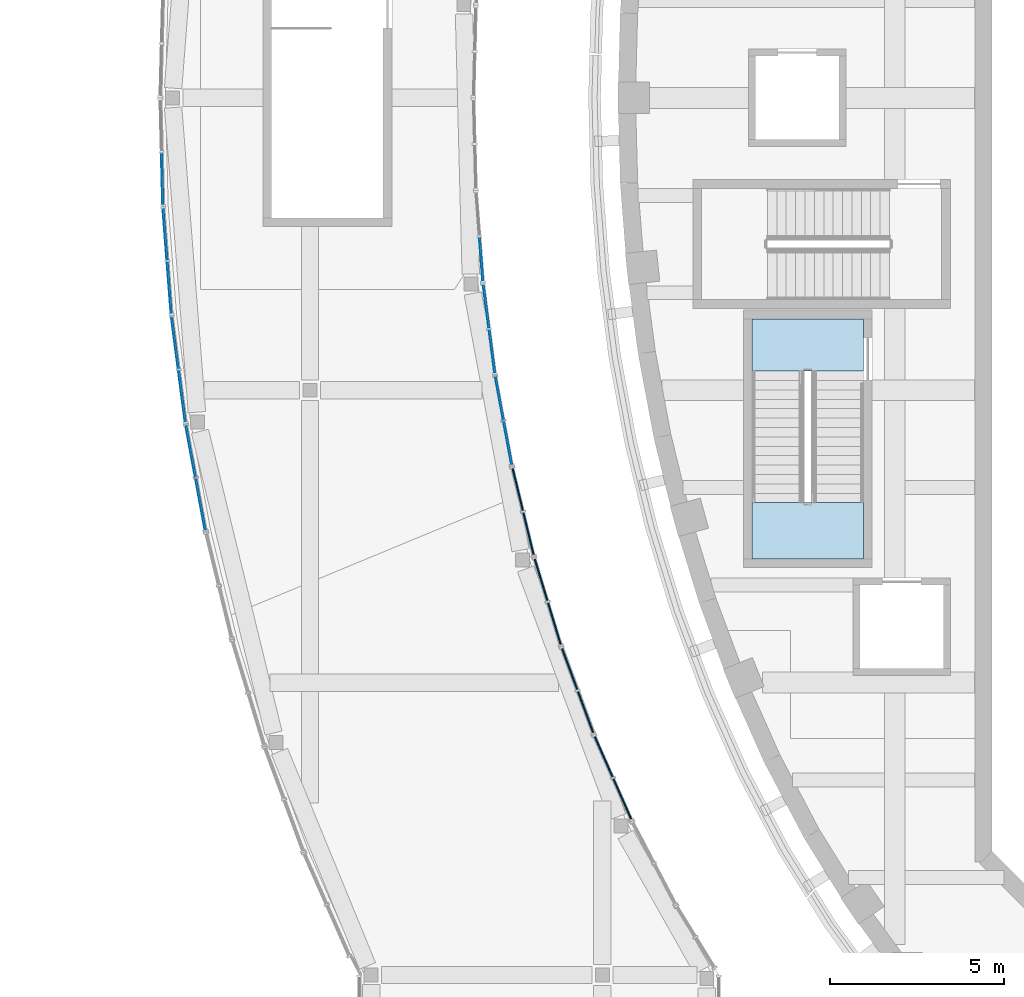
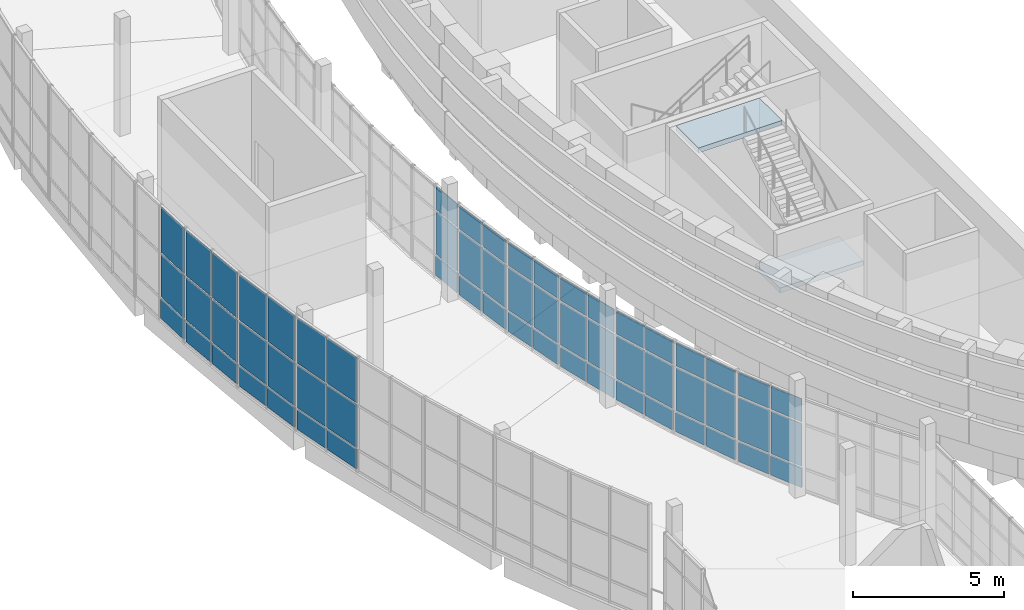
# One storey, part 39 of 103: 60 plates, 2 slabs, 12 elements without a shape of their own.
"""IFC4 building model written with IfcOpenShell, lengths in metres."""

import ifcopenshell
import ifcopenshell.guid

model = None  # the IFC model being written
_history = None  # IfcOwnerHistory: only IFC2X3 demands one
_inside = {}  # id of a spatial element -> (the spatial element, [elements in it])
_under = {}  # id of a project, library or spatial element -> (it, [spatial elements below it])
_declared = {}  # id of a project -> (the project, [libraries it declares])
_typed = {}  # id of a type object -> (the type object, [elements of that type])
_made_of = {}  # id of a material, layer set ... -> (it, [elements and type objects made of it])


def new_model(schema):
    """Start an empty IFC model of exactly this schema.

    Asked for "IFC4X3", IfcOpenShell would pick the latest addendum, in which some entities
    have other attributes; the version numbers below select the first issue.
    IFC2X3 requires an IfcOwnerHistory on every rooted entity: one is made here for all.
    """
    global model, _history
    if schema == "IFC4X3":
        model = ifcopenshell.file(schema_version=(4, 3, 0, 0))
    else:
        model = ifcopenshell.file(schema=schema)
    _inside.clear()
    _under.clear()
    _declared.clear()
    _typed.clear()
    _made_of.clear()
    _history = None
    if model.schema == "IFC2X3":
        org = make("IfcOrganization", Name="unknown")
        user = make(
            "IfcPersonAndOrganization",
            ThePerson=make("IfcPerson", FamilyName="unknown"),
            TheOrganization=org,
        )
        app = make(
            "IfcApplication",
            ApplicationDeveloper=org,
            Version="unknown",
            ApplicationFullName="unknown",
            ApplicationIdentifier="unknown",
        )
        _history = make(
            "IfcOwnerHistory",
            OwningUser=user,
            OwningApplication=app,
            ChangeAction="ADDED",
            CreationDate=0,
        )
    return model


def make(cls, **values):
    """One entity of the class cls with the attributes given. An attribute that is None is left unset."""
    return model.create_entity(
        cls, **{name: value for name, value in values.items() if value is not None}
    )


def rooted(cls, **values):
    """An entity with a GlobalId (a new one), such as an element, a storey or a relation."""
    return make(cls, GlobalId=ifcopenshell.guid.new(), OwnerHistory=_history, **values)


def si_unit(unit_type, name, prefix=None):
    """IfcSIUnit, for example si_unit("LENGTHUNIT", "METRE", prefix="MILLI")."""
    return make("IfcSIUnit", UnitType=unit_type, Prefix=prefix, Name=name)


def assignment(units):
    """IfcUnitAssignment: the units of a project."""
    return None if units is None else make("IfcUnitAssignment", Units=units)


def point(xyz):
    """IfcCartesianPoint."""
    return None if xyz is None else make("IfcCartesianPoint", Coordinates=xyz)


def direction(xyz):
    """IfcDirection."""
    return None if xyz is None else make("IfcDirection", DirectionRatios=xyz)


def frame(location, z_axis=None, x_axis=None):
    """IfcAxis2Placement3D, a coordinate frame: its origin and axes. An axis left out is left unset."""
    return make(
        "IfcAxis2Placement3D",
        Location=point(location),
        Axis=direction(z_axis),
        RefDirection=direction(x_axis),
    )


def frame_2d(location, x_axis=None):
    """IfcAxis2Placement2D, a coordinate frame in the plane: its origin and x axis."""
    return make(
        "IfcAxis2Placement2D", Location=point(location), RefDirection=direction(x_axis)
    )


def origin():
    """The frame at (0, 0, 0) with its axes left unset."""
    return frame((0.0, 0.0, 0.0))


def origin_2d():
    """The frame at (0, 0) in the plane with its x axis left unset."""
    return frame_2d((0.0, 0.0))


def place(relative_to, where):
    """IfcLocalPlacement: puts the frame where relative to a parent placement (None: the world)."""
    return make(
        "IfcLocalPlacement", PlacementRelTo=relative_to, RelativePlacement=where
    )


def context(
    kind, dimensions, precision=None, world=None, true_north=None, identifier=None
):
    """IfcGeometricRepresentationContext, for example the 3D "Model" context."""
    return make(
        "IfcGeometricRepresentationContext",
        ContextIdentifier=identifier,
        ContextType=kind,
        CoordinateSpaceDimension=dimensions,
        Precision=precision,
        WorldCoordinateSystem=world,
        TrueNorth=true_north,
    )


def subcontext(parent, identifier, kind, view, scale=None):
    """IfcGeometricRepresentationSubContext, for example "Body" below "Model"."""
    return make(
        "IfcGeometricRepresentationSubContext",
        ContextIdentifier=identifier,
        ContextType=kind,
        ParentContext=parent,
        TargetScale=scale,
        TargetView=view,
    )


def project(units=None, contexts=None):
    """IfcProject with its units and contexts."""
    return rooted(
        "IfcProject",
        Name="project",
        RepresentationContexts=contexts,
        UnitsInContext=assignment(units),
    )


def spatial(cls, under=None, at=None, **own):
    """A site, building, storey or space (cls), placed at a placement, below another one or the project."""
    s = rooted(cls, ObjectPlacement=at, **own)
    if under is not None:
        _under.setdefault(under.id(), (under, []))[1].append(s)
    return s


def polyline(points):
    """IfcPolyline through the points."""
    return make("IfcPolyline", Points=[point(p) for p in points])


def profile(cls, at=None, kind="AREA", **sizes):
    """A parametric profile (cls). Its sizes go by their IFC names, for example OverallWidth=200.0."""
    return make(cls, ProfileType=kind, Position=at, **sizes)


def rectangle(**sizes):
    """IfcRectangleProfileDef."""
    return profile("IfcRectangleProfileDef", **sizes)


def outline(outer, holes=None, kind="AREA"):
    """IfcArbitraryClosedProfileDef: a profile drawn as a closed curve; with holes, ...WithVoids."""
    if holes is None:
        return make("IfcArbitraryClosedProfileDef", ProfileType=kind, OuterCurve=outer)
    return make(
        "IfcArbitraryProfileDefWithVoids",
        ProfileType=kind,
        OuterCurve=outer,
        InnerCurves=holes,
    )


def extrude(swept, where, along, depth):
    """IfcExtrudedAreaSolid: the profile swept, set in the frame where, extruded along a direction by depth."""
    return make(
        "IfcExtrudedAreaSolid",
        SweptArea=swept,
        Position=where,
        ExtrudedDirection=direction(along),
        Depth=depth,
    )


def shape(context_of_items, identifier, shape_type, items):
    """IfcShapeRepresentation: the items that make up one representation, for example the "Body"."""
    return make(
        "IfcShapeRepresentation",
        ContextOfItems=context_of_items,
        RepresentationIdentifier=identifier,
        RepresentationType=shape_type,
        Items=items,
    )


def material(Name=None, Category=None):
    """IfcMaterial."""
    return make("IfcMaterial", Name=Name, Category=Category)


def layer(
    of_material, thickness, ventilated=None, Name=None, Category=None, Priority=None
):
    """IfcMaterialLayer: one layer of a wall or slab, of a material (None: an air gap)."""
    return make(
        "IfcMaterialLayer",
        Material=of_material,
        LayerThickness=thickness,
        IsVentilated=ventilated,
        Name=Name,
        Category=Category,
        Priority=Priority,
    )


def layer_set(layers, Name=None):
    """IfcMaterialLayerSet."""
    return make("IfcMaterialLayerSet", MaterialLayers=layers, LayerSetName=Name)


def made_of(thing, what):
    """Note that an element or type object is made of a material, layer set ...; save() writes the relation."""
    if what is not None:
        _made_of.setdefault(what.id(), (what, []))[1].append(thing)
    return thing


def type_object(cls, material=None, **own):
    """A type object (cls), such as IfcWallType, which elements share."""
    return made_of(rooted(cls, **own), material)


def element(
    cls,
    number,
    at=None,
    inside=None,
    cuts=None,
    type_object=None,
    material=None,
    context=None,
    identifier="Body",
    shape_type=None,
    held_by="IfcProductDefinitionShape",
    body=None,
    shapes=None,
    **own,
):
    """One element of the class cls, such as IfcWall. Its Tag is "e" and its number.

    at: its placement. inside: the storey or other place that contains it. cuts: it is an
    opening in that element (IfcRelVoidsElement). A single representation is given by context,
    identifier, shape_type and body (its items); several are given by shapes. held_by: the class
    of the entity that holds the representations. save() writes the other relations.
    """
    e = rooted(cls, Tag="e%d" % number, ObjectPlacement=at, **own)
    if body is not None:
        shapes = [shape(context, identifier, shape_type, body)]
    if shapes is not None:
        e.Representation = make(held_by, Representations=shapes)
    if inside is not None:
        _inside.setdefault(inside.id(), (inside, []))[1].append(e)
    if cuts is not None:
        rooted(
            "IfcRelVoidsElement", RelatingBuildingElement=cuts, RelatedOpeningElement=e
        )
    if type_object is not None:
        _typed.setdefault(type_object.id(), (type_object, []))[1].append(e)
    return made_of(e, material)


def aggregate(whole, parts):
    """IfcRelAggregates: a whole, such as a stair, and the parts it consists of."""
    return rooted("IfcRelAggregates", RelatingObject=whole, RelatedObjects=parts)


def save(model, path):
    """Write the relations noted so far, then the file.

    IfcRelAggregates (storeys below a building ...), IfcRelContainedInSpatialStructure (elements
    in a storey), IfcRelDefinesByType, IfcRelAssociatesMaterial and IfcRelDeclares: one each for
    every whole, place, type object, material and project.
    """
    for whole, parts in _under.values():
        aggregate(whole, parts)
    for where, things in _inside.values():
        rooted(
            "IfcRelContainedInSpatialStructure",
            RelatedElements=things,
            RelatingStructure=where,
        )
    for kind, things in _typed.values():
        rooted("IfcRelDefinesByType", RelatedObjects=things, RelatingType=kind)
    for what, things in _made_of.values():
        rooted("IfcRelAssociatesMaterial", RelatedObjects=things, RelatingMaterial=what)
    for by, libraries in _declared.values():
        rooted("IfcRelDeclares", RelatingContext=by, RelatedDefinitions=libraries)
    model.write(path)


model = new_model("IFC4")

# Units and contexts
model_context = context("Model", 3, precision=1e-05, world=origin(), true_north=direction((0.0, 1.0)))
body_context = subcontext(model_context, "Body", "Model", "MODEL_VIEW")
ifc_project = project(units=[si_unit("LENGTHUNIT", "METRE"), si_unit("AREAUNIT", "SQUARE_METRE"), si_unit("VOLUMEUNIT", "CUBIC_METRE"), si_unit("PLANEANGLEUNIT", "RADIAN"), si_unit("MASSUNIT", "GRAM", prefix="KILO")], contexts=[model_context])

# Site, building, storey
site_placement = place(None, origin())
site = spatial("IfcSite", under=ifc_project, at=site_placement, CompositionType="ELEMENT")
building_placement = place(site_placement, origin())
building = spatial("IfcBuilding", under=site, at=building_placement, Name="Larchfold Concert Hall", CompositionType="ELEMENT")
storey_placement = place(building_placement, frame((0.0, 0.0, 9.60009765625)))
storey = spatial("IfcBuildingStorey", under=building, at=storey_placement, Name="L02", CompositionType="ELEMENT", Elevation=9.60009765625)

# Curtain wall, plates
ifc_material_1 = material(Name="Anodised graphite aluminium curtain wall", Category="aluminium")
ifc_layer_1 = layer(ifc_material_1, 0.14990234375)
ifc_layer_set_1 = layer_set([ifc_layer_1], Name="Anodised graphite aluminium curtain wall")
curtain_wall_type = type_object("IfcCurtainWallType", Name="Curtain wall WG", PredefinedType="NOTDEFINED", material=ifc_layer_set_1)
curtain_wall_1_placement = place(storey_placement, origin())
curtain_wall_1 = element("IfcCurtainWall", 1, at=curtain_wall_1_placement, inside=storey, type_object=curtain_wall_type, Name="Curtain wall CW0216", PredefinedType="NOTDEFINED")
ifc_material_2 = material(Name="Insulated glazing unit, glass", Category="glass")
ifc_layer_2 = layer(ifc_material_2, 0.028076171875)
ifc_layer_set_2 = layer_set([ifc_layer_2], Name="Insulated glazing unit, glass")
plate_type_1 = type_object("IfcPlateType", Name="Glass panel 28", PredefinedType="CURTAIN_PANEL", material=ifc_layer_set_2)
plate_1_placement = place(storey_placement, frame((17.97265625, 64.45556640625, 0.93994140625), z_axis=(0.0, 0.0, 1.0), x_axis=(-0.404034339481, 0.914743817973, 0.0)))
plate_1 = element("IfcPlate", 2, at=plate_1_placement, type_object=plate_type_1, Name="CW0216 panel 1.2", PredefinedType="CURTAIN_PANEL", context=body_context, shape_type="SweptSolid", body=[
    extrude(rectangle(XDim=1.26708984375, YDim=0.028076171875, at=origin_2d()), origin(), (0.0, 0.0, 1.0), 1.719970703125),
])
plate_2_placement = place(storey_placement, frame((17.97265625, 64.45556640625, 2.740234375), z_axis=(0.0, 0.0, 1.0), x_axis=(-0.404034339481, 0.914743817973, 0.0)))
plate_2 = element("IfcPlate", 3, at=plate_2_placement, type_object=plate_type_1, Name="CW0216 panel 1.3", PredefinedType="CURTAIN_PANEL", context=body_context, shape_type="SweptSolid", body=[
    extrude(rectangle(XDim=1.26708984375, YDim=0.028076171875, at=origin_2d()), origin(), (0.0, 0.0, 1.0), 0.929931640625),
])
plate_3_placement = place(storey_placement, frame((17.4365234375, 65.66943359375, 0.93994140625), z_axis=(0.0, 0.0, 1.0), x_axis=(-0.404034339481, 0.914743817973, 0.0)))
plate_3 = element("IfcPlate", 4, at=plate_3_placement, type_object=plate_type_1, Name="CW0216 panel 2.2", PredefinedType="CURTAIN_PANEL", context=body_context, shape_type="SweptSolid", body=[
    extrude(rectangle(XDim=1.26708984375, YDim=0.028076171875, at=origin_2d()), origin(), (0.0, 0.0, 1.0), 1.719970703125),
])
plate_4_placement = place(storey_placement, frame((17.4365234375, 65.66943359375, 2.740234375), z_axis=(0.0, 0.0, 1.0), x_axis=(-0.404034339481, 0.914743817973, 0.0)))
plate_4 = element("IfcPlate", 5, at=plate_4_placement, type_object=plate_type_1, Name="CW0216 panel 2.3", PredefinedType="CURTAIN_PANEL", context=body_context, shape_type="SweptSolid", body=[
    extrude(rectangle(XDim=1.26708984375, YDim=0.028076171875, at=origin_2d()), origin(), (0.0, 0.0, 1.0), 0.929931640625),
])

curtain_wall_2_placement = place(storey_placement, origin())
curtain_wall_2 = element("IfcCurtainWall", 6, at=curtain_wall_2_placement, inside=storey, type_object=curtain_wall_type, Name="Curtain wall CW0217", PredefinedType="NOTDEFINED")
plate_5_placement = place(storey_placement, frame((16.9169921875, 66.951171875, 0.93994140625), z_axis=(0.0, 0.0, 1.0), x_axis=(-0.346631119, 0.938001528432, 0.0)))
plate_5 = element("IfcPlate", 7, at=plate_5_placement, type_object=plate_type_1, Name="CW0217 panel 1.2", PredefinedType="CURTAIN_PANEL", context=body_context, shape_type="SweptSolid", body=[
    extrude(rectangle(XDim=1.26025390625, YDim=0.028076171875, at=origin_2d()), origin(), (0.0, 0.0, 1.0), 1.719970703125),
])
plate_6_placement = place(storey_placement, frame((16.9169921875, 66.951171875, 2.740234375), z_axis=(0.0, 0.0, 1.0), x_axis=(-0.346631119, 0.938001528432, 0.0)))
plate_6 = element("IfcPlate", 8, at=plate_6_placement, type_object=plate_type_1, Name="CW0217 panel 1.3", PredefinedType="CURTAIN_PANEL", context=body_context, shape_type="SweptSolid", body=[
    extrude(rectangle(XDim=1.26025390625, YDim=0.028076171875, at=origin_2d()), origin(), (0.0, 0.0, 1.0), 0.929931640625),
])
plate_7_placement = place(storey_placement, frame((16.45947265625, 68.189697265625, 0.93994140625), z_axis=(0.0, 0.0, 1.0), x_axis=(-0.346631119, 0.938001528432, 0.0)))
plate_7 = element("IfcPlate", 9, at=plate_7_placement, type_object=plate_type_1, Name="CW0217 panel 2.2", PredefinedType="CURTAIN_PANEL", context=body_context, shape_type="SweptSolid", body=[
    extrude(rectangle(XDim=1.26025390625, YDim=0.028076171875, at=origin_2d()), origin(), (0.0, 0.0, 1.0), 1.719970703125),
])
plate_8_placement = place(storey_placement, frame((16.45947265625, 68.189697265625, 2.740234375), z_axis=(0.0, 0.0, 1.0), x_axis=(-0.346631119, 0.938001528432, 0.0)))
plate_8 = element("IfcPlate", 10, at=plate_8_placement, type_object=plate_type_1, Name="CW0217 panel 2.3", PredefinedType="CURTAIN_PANEL", context=body_context, shape_type="SweptSolid", body=[
    extrude(rectangle(XDim=1.26025390625, YDim=0.028076171875, at=origin_2d()), origin(), (0.0, 0.0, 1.0), 0.929931640625),
])

curtain_wall_3_placement = place(storey_placement, origin())
curtain_wall_3 = element("IfcCurtainWall", 11, at=curtain_wall_3_placement, inside=storey, type_object=curtain_wall_type, Name="Curtain wall CW0218", PredefinedType="NOTDEFINED")
plate_9_placement = place(storey_placement, frame((16.0205078125, 69.494384765625, 0.93994140625), z_axis=(0.0, 0.0, 1.0), x_axis=(-0.290561772124, 0.956856236109, 0.0)))
plate_9 = element("IfcPlate", 12, at=plate_9_placement, type_object=plate_type_1, Name="CW0218 panel 1.2", PredefinedType="CURTAIN_PANEL", context=body_context, shape_type="SweptSolid", body=[
    extrude(rectangle(XDim=1.25439453125, YDim=0.028076171875, at=origin_2d()), origin(), (0.0, 0.0, 1.0), 1.719970703125),
])
plate_10_placement = place(storey_placement, frame((16.0205078125, 69.494384765625, 2.740234375), z_axis=(0.0, 0.0, 1.0), x_axis=(-0.290561772124, 0.956856236109, 0.0)))
plate_10 = element("IfcPlate", 13, at=plate_10_placement, type_object=plate_type_1, Name="CW0218 panel 1.3", PredefinedType="CURTAIN_PANEL", context=body_context, shape_type="SweptSolid", body=[
    extrude(rectangle(XDim=1.25439453125, YDim=0.028076171875, at=origin_2d()), origin(), (0.0, 0.0, 1.0), 0.929931640625),
])
plate_11_placement = place(storey_placement, frame((15.638671875, 70.752197265625, 0.93994140625), z_axis=(0.0, 0.0, 1.0), x_axis=(-0.290561772124, 0.956856236109, 0.0)))
plate_11 = element("IfcPlate", 14, at=plate_11_placement, type_object=plate_type_1, Name="CW0218 panel 2.2", PredefinedType="CURTAIN_PANEL", context=body_context, shape_type="SweptSolid", body=[
    extrude(rectangle(XDim=1.25439453125, YDim=0.028076171875, at=origin_2d()), origin(), (0.0, 0.0, 1.0), 1.719970703125),
])
plate_12_placement = place(storey_placement, frame((15.638671875, 70.752197265625, 2.740234375), z_axis=(0.0, 0.0, 1.0), x_axis=(-0.290561772124, 0.956856236109, 0.0)))
plate_12 = element("IfcPlate", 15, at=plate_12_placement, type_object=plate_type_1, Name="CW0218 panel 2.3", PredefinedType="CURTAIN_PANEL", context=body_context, shape_type="SweptSolid", body=[
    extrude(rectangle(XDim=1.25439453125, YDim=0.028076171875, at=origin_2d()), origin(), (0.0, 0.0, 1.0), 0.929931640625),
])

curtain_wall_4_placement = place(storey_placement, origin())
curtain_wall_4 = element("IfcCurtainWall", 16, at=curtain_wall_4_placement, inside=storey, type_object=curtain_wall_type, Name="Curtain wall CW0219", PredefinedType="NOTDEFINED")
plate_13_placement = place(storey_placement, frame((15.27734375, 72.0751953125, 0.93994140625), z_axis=(0.0, 0.0, 1.0), x_axis=(-0.235926027973, 0.97177101692, 0.0)))
plate_13 = element("IfcPlate", 17, at=plate_13_placement, type_object=plate_type_1, Name="CW0219 panel 1.2", PredefinedType="CURTAIN_PANEL", context=body_context, shape_type="SweptSolid", body=[
    extrude(rectangle(XDim=1.24951171875, YDim=0.028076171875, at=origin_2d()), origin(), (0.0, 0.0, 1.0), 1.719970703125),
])
plate_14_placement = place(storey_placement, frame((15.27734375, 72.0751953125, 2.740234375), z_axis=(0.0, 0.0, 1.0), x_axis=(-0.235926027973, 0.97177101692, 0.0)))
plate_14 = element("IfcPlate", 18, at=plate_14_placement, type_object=plate_type_1, Name="CW0219 panel 1.3", PredefinedType="CURTAIN_PANEL", context=body_context, shape_type="SweptSolid", body=[
    extrude(rectangle(XDim=1.24951171875, YDim=0.028076171875, at=origin_2d()), origin(), (0.0, 0.0, 1.0), 0.929931640625),
])
plate_15_placement = place(storey_placement, frame((14.968505859375, 73.34765625, 0.93994140625), z_axis=(0.0, 0.0, 1.0), x_axis=(-0.235926027973, 0.97177101692, 0.0)))
plate_15 = element("IfcPlate", 19, at=plate_15_placement, type_object=plate_type_1, Name="CW0219 panel 2.2", PredefinedType="CURTAIN_PANEL", context=body_context, shape_type="SweptSolid", body=[
    extrude(rectangle(XDim=1.24951171875, YDim=0.028076171875, at=origin_2d()), origin(), (0.0, 0.0, 1.0), 1.719970703125),
])
plate_16_placement = place(storey_placement, frame((14.968505859375, 73.34765625, 2.740234375), z_axis=(0.0, 0.0, 1.0), x_axis=(-0.235926027973, 0.97177101692, 0.0)))
plate_16 = element("IfcPlate", 20, at=plate_16_placement, type_object=plate_type_1, Name="CW0219 panel 2.3", PredefinedType="CURTAIN_PANEL", context=body_context, shape_type="SweptSolid", body=[
    extrude(rectangle(XDim=1.24951171875, YDim=0.028076171875, at=origin_2d()), origin(), (0.0, 0.0, 1.0), 0.929931640625),
])

curtain_wall_5_placement = place(storey_placement, origin())
curtain_wall_5 = element("IfcCurtainWall", 21, at=curtain_wall_5_placement, inside=storey, type_object=curtain_wall_type, Name="Curtain wall CW0220", PredefinedType="NOTDEFINED")
plate_17_placement = place(storey_placement, frame((14.682373046875, 74.6845703125, 0.93994140625), z_axis=(0.0, 0.0, 1.0), x_axis=(-0.182390289896, 0.983226211079, 0.0)))
plate_17 = element("IfcPlate", 22, at=plate_17_placement, type_object=plate_type_1, Name="CW0220 panel 1.2", PredefinedType="CURTAIN_PANEL", context=body_context, shape_type="SweptSolid", body=[
    extrude(rectangle(XDim=1.245849609375, YDim=0.028076171875, at=origin_2d()), origin(), (0.0, 0.0, 1.0), 1.719970703125),
])
plate_18_placement = place(storey_placement, frame((14.682373046875, 74.6845703125, 2.740234375), z_axis=(0.0, 0.0, 1.0), x_axis=(-0.182390289896, 0.983226211079, 0.0)))
plate_18 = element("IfcPlate", 23, at=plate_18_placement, type_object=plate_type_1, Name="CW0220 panel 1.3", PredefinedType="CURTAIN_PANEL", context=body_context, shape_type="SweptSolid", body=[
    extrude(rectangle(XDim=1.245849609375, YDim=0.028076171875, at=origin_2d()), origin(), (0.0, 0.0, 1.0), 0.929931640625),
])
plate_19_placement = place(storey_placement, frame((14.444091796875, 75.96875, 0.93994140625), z_axis=(0.0, 0.0, 1.0), x_axis=(-0.182390289896, 0.983226211079, 0.0)))
plate_19 = element("IfcPlate", 24, at=plate_19_placement, type_object=plate_type_1, Name="CW0220 panel 2.2", PredefinedType="CURTAIN_PANEL", context=body_context, shape_type="SweptSolid", body=[
    extrude(rectangle(XDim=1.245849609375, YDim=0.028076171875, at=origin_2d()), origin(), (0.0, 0.0, 1.0), 1.719970703125),
])
plate_20_placement = place(storey_placement, frame((14.444091796875, 75.96875, 2.740234375), z_axis=(0.0, 0.0, 1.0), x_axis=(-0.182390289896, 0.983226211079, 0.0)))
plate_20 = element("IfcPlate", 25, at=plate_20_placement, type_object=plate_type_1, Name="CW0220 panel 2.3", PredefinedType="CURTAIN_PANEL", context=body_context, shape_type="SweptSolid", body=[
    extrude(rectangle(XDim=1.245849609375, YDim=0.028076171875, at=origin_2d()), origin(), (0.0, 0.0, 1.0), 0.929931640625),
])

curtain_wall_6_placement = place(storey_placement, origin())
curtain_wall_6 = element("IfcCurtainWall", 26, at=curtain_wall_6_placement, inside=storey, type_object=curtain_wall_type, Name="Curtain wall CW0221", PredefinedType="NOTDEFINED")
plate_21_placement = place(storey_placement, frame((14.231201171875, 77.31591796875, 0.93994140625), z_axis=(0.0, 0.0, 1.0), x_axis=(-0.129644480836, 0.991560542069, 0.0)))
plate_21 = element("IfcPlate", 27, at=plate_21_placement, type_object=plate_type_1, Name="CW0221 panel 1.2", PredefinedType="CURTAIN_PANEL", context=body_context, shape_type="SweptSolid", body=[
    extrude(rectangle(XDim=1.2431640625, YDim=0.028076171875, at=origin_2d()), origin(), (0.0, 0.0, 1.0), 1.719970703125),
])
plate_22_placement = place(storey_placement, frame((14.231201171875, 77.31591796875, 2.740234375), z_axis=(0.0, 0.0, 1.0), x_axis=(-0.129644480836, 0.991560542069, 0.0)))
plate_22 = element("IfcPlate", 28, at=plate_22_placement, type_object=plate_type_1, Name="CW0221 panel 1.3", PredefinedType="CURTAIN_PANEL", context=body_context, shape_type="SweptSolid", body=[
    extrude(rectangle(XDim=1.2431640625, YDim=0.028076171875, at=origin_2d()), origin(), (0.0, 0.0, 1.0), 0.929931640625),
])
plate_23_placement = place(storey_placement, frame((14.062255859375, 78.6083984375, 0.93994140625), z_axis=(0.0, 0.0, 1.0), x_axis=(-0.129644480836, 0.991560542069, 0.0)))
plate_23 = element("IfcPlate", 29, at=plate_23_placement, type_object=plate_type_1, Name="CW0221 panel 2.2", PredefinedType="CURTAIN_PANEL", context=body_context, shape_type="SweptSolid", body=[
    extrude(rectangle(XDim=1.2431640625, YDim=0.028076171875, at=origin_2d()), origin(), (0.0, 0.0, 1.0), 1.719970703125),
])
plate_24_placement = place(storey_placement, frame((14.062255859375, 78.6083984375, 2.740234375), z_axis=(0.0, 0.0, 1.0), x_axis=(-0.129644480836, 0.991560542069, 0.0)))
plate_24 = element("IfcPlate", 30, at=plate_24_placement, type_object=plate_type_1, Name="CW0221 panel 2.3", PredefinedType="CURTAIN_PANEL", context=body_context, shape_type="SweptSolid", body=[
    extrude(rectangle(XDim=1.2431640625, YDim=0.028076171875, at=origin_2d()), origin(), (0.0, 0.0, 1.0), 0.929931640625),
])

curtain_wall_7_placement = place(storey_placement, origin())
curtain_wall_7 = element("IfcCurtainWall", 31, at=curtain_wall_7_placement, inside=storey, type_object=curtain_wall_type, Name="Curtain wall CW0222", PredefinedType="NOTDEFINED")
plate_25_placement = place(storey_placement, frame((13.921142578125, 79.962890625, 0.93994140625), z_axis=(0.0, 0.0, 1.0), x_axis=(-0.07755168544, 0.996988332974, 0.0)))
plate_25 = element("IfcPlate", 32, at=plate_25_placement, type_object=plate_type_1, Name="CW0222 panel 1.2", PredefinedType="CURTAIN_PANEL", context=body_context, shape_type="SweptSolid", body=[
    extrude(rectangle(XDim=1.24169921875, YDim=0.028076171875, at=origin_2d()), origin(), (0.0, 0.0, 1.0), 1.719970703125),
])
plate_26_placement = place(storey_placement, frame((13.921142578125, 79.962890625, 2.740234375), z_axis=(0.0, 0.0, 1.0), x_axis=(-0.07755168544, 0.996988332974, 0.0)))
plate_26 = element("IfcPlate", 33, at=plate_26_placement, type_object=plate_type_1, Name="CW0222 panel 1.3", PredefinedType="CURTAIN_PANEL", context=body_context, shape_type="SweptSolid", body=[
    extrude(rectangle(XDim=1.24169921875, YDim=0.028076171875, at=origin_2d()), origin(), (0.0, 0.0, 1.0), 0.929931640625),
])

curtain_wall_8_placement = place(storey_placement, origin())
curtain_wall_8 = element("IfcCurtainWall", 34, at=curtain_wall_8_placement, inside=storey, type_object=curtain_wall_type, Name="Curtain wall CW0274", PredefinedType="NOTDEFINED")
plate_27_placement = place(storey_placement, frame((4.755859375, 82.270751953125, 0.93994140625), z_axis=(0.0, 0.0, 1.0), x_axis=(0.025844679897, -0.999665970473, 0.0)))
plate_27 = element("IfcPlate", 35, at=plate_27_placement, type_object=plate_type_1, Name="CW0274 panel 2.2", PredefinedType="CURTAIN_PANEL", context=body_context, shape_type="SweptSolid", body=[
    extrude(rectangle(XDim=1.473388671875, YDim=0.028076171875, at=origin_2d()), origin(), (0.0, 0.0, 1.0), 1.719970703125),
])
plate_28_placement = place(storey_placement, frame((4.755859375, 82.270751953125, 2.740234375), z_axis=(0.0, 0.0, 1.0), x_axis=(0.025844679897, -0.999665970473, 0.0)))
plate_28 = element("IfcPlate", 36, at=plate_28_placement, type_object=plate_type_1, Name="CW0274 panel 2.3", PredefinedType="CURTAIN_PANEL", context=body_context, shape_type="SweptSolid", body=[
    extrude(rectangle(XDim=1.473388671875, YDim=0.028076171875, at=origin_2d()), origin(), (0.0, 0.0, 1.0), 1.829833984375),
])

curtain_wall_9_placement = place(storey_placement, origin())
curtain_wall_9 = element("IfcCurtainWall", 37, at=curtain_wall_9_placement, inside=storey, type_object=curtain_wall_type, Name="Curtain wall CW0275", PredefinedType="NOTDEFINED")
plate_29_placement = place(storey_placement, frame((4.838134765625, 80.678466796875, 0.93994140625), z_axis=(0.0, 0.0, 1.0), x_axis=(0.077465260739, -0.996995051833, 0.0)))
plate_29 = element("IfcPlate", 38, at=plate_29_placement, type_object=plate_type_1, Name="CW0275 panel 1.2", PredefinedType="CURTAIN_PANEL", context=body_context, shape_type="SweptSolid", body=[
    extrude(rectangle(XDim=1.476318359375, YDim=0.028076171875, at=origin_2d()), origin(), (0.0, 0.0, 1.0), 1.719970703125),
])
plate_30_placement = place(storey_placement, frame((4.838134765625, 80.678466796875, 2.740234375), z_axis=(0.0, 0.0, 1.0), x_axis=(0.077465260739, -0.996995051833, 0.0)))
plate_30 = element("IfcPlate", 39, at=plate_30_placement, type_object=plate_type_1, Name="CW0275 panel 1.3", PredefinedType="CURTAIN_PANEL", context=body_context, shape_type="SweptSolid", body=[
    extrude(rectangle(XDim=1.476318359375, YDim=0.028076171875, at=origin_2d()), origin(), (0.0, 0.0, 1.0), 1.829833984375),
])
plate_31_placement = place(storey_placement, frame((4.957275390625, 79.14697265625, 0.93994140625), z_axis=(0.0, 0.0, 1.0), x_axis=(0.077465260739, -0.996995051833, 0.0)))
plate_31 = element("IfcPlate", 40, at=plate_31_placement, type_object=plate_type_1, Name="CW0275 panel 2.2", PredefinedType="CURTAIN_PANEL", context=body_context, shape_type="SweptSolid", body=[
    extrude(rectangle(XDim=1.476318359375, YDim=0.028076171875, at=origin_2d()), origin(), (0.0, 0.0, 1.0), 1.719970703125),
])
plate_32_placement = place(storey_placement, frame((4.957275390625, 79.14697265625, 2.740234375), z_axis=(0.0, 0.0, 1.0), x_axis=(0.077465260739, -0.996995051833, 0.0)))
plate_32 = element("IfcPlate", 41, at=plate_32_placement, type_object=plate_type_1, Name="CW0275 panel 2.3", PredefinedType="CURTAIN_PANEL", context=body_context, shape_type="SweptSolid", body=[
    extrude(rectangle(XDim=1.476318359375, YDim=0.028076171875, at=origin_2d()), origin(), (0.0, 0.0, 1.0), 1.829833984375),
])

curtain_wall_10_placement = place(storey_placement, origin())
curtain_wall_10 = element("IfcCurtainWall", 42, at=curtain_wall_10_placement, inside=storey, type_object=curtain_wall_type, Name="Curtain wall CW0276", PredefinedType="NOTDEFINED")
plate_33_placement = place(storey_placement, frame((5.122802734375, 77.55712890625, 0.93994140625), z_axis=(0.0, 0.0, 1.0), x_axis=(0.129731055474, -0.991549218771, 0.0)))
plate_33 = element("IfcPlate", 43, at=plate_33_placement, type_object=plate_type_1, Name="CW0276 panel 1.2", PredefinedType="CURTAIN_PANEL", context=body_context, shape_type="SweptSolid", body=[
    extrude(rectangle(XDim=1.4814453125, YDim=0.028076171875, at=origin_2d()), origin(), (0.0, 0.0, 1.0), 1.719970703125),
])
plate_34_placement = place(storey_placement, frame((5.122802734375, 77.55712890625, 2.740234375), z_axis=(0.0, 0.0, 1.0), x_axis=(0.129731055474, -0.991549218771, 0.0)))
plate_34 = element("IfcPlate", 44, at=plate_34_placement, type_object=plate_type_1, Name="CW0276 panel 1.3", PredefinedType="CURTAIN_PANEL", context=body_context, shape_type="SweptSolid", body=[
    extrude(rectangle(XDim=1.4814453125, YDim=0.028076171875, at=origin_2d()), origin(), (0.0, 0.0, 1.0), 1.829833984375),
])
plate_35_placement = place(storey_placement, frame((5.322998046875, 76.02880859375, 0.93994140625), z_axis=(0.0, 0.0, 1.0), x_axis=(0.129731055474, -0.991549218771, 0.0)))
plate_35 = element("IfcPlate", 45, at=plate_35_placement, type_object=plate_type_1, Name="CW0276 panel 2.2", PredefinedType="CURTAIN_PANEL", context=body_context, shape_type="SweptSolid", body=[
    extrude(rectangle(XDim=1.4814453125, YDim=0.028076171875, at=origin_2d()), origin(), (0.0, 0.0, 1.0), 1.719970703125),
])
plate_36_placement = place(storey_placement, frame((5.322998046875, 76.02880859375, 2.740234375), z_axis=(0.0, 0.0, 1.0), x_axis=(0.129731055474, -0.991549218771, 0.0)))
plate_36 = element("IfcPlate", 46, at=plate_36_placement, type_object=plate_type_1, Name="CW0276 panel 2.3", PredefinedType="CURTAIN_PANEL", context=body_context, shape_type="SweptSolid", body=[
    extrude(rectangle(XDim=1.4814453125, YDim=0.028076171875, at=origin_2d()), origin(), (0.0, 0.0, 1.0), 1.829833984375),
])

curtain_wall_11_placement = place(storey_placement, origin())
curtain_wall_11 = element("IfcCurtainWall", 47, at=curtain_wall_11_placement, inside=storey, type_object=curtain_wall_type, Name="Curtain wall CW0277", PredefinedType="NOTDEFINED")
plate_37_placement = place(storey_placement, frame((5.573486328125, 74.44384765625, 0.93994140625), z_axis=(0.0, 0.0, 1.0), x_axis=(0.182346675908, -0.983234300554, 0.0)))
plate_37 = element("IfcPlate", 48, at=plate_37_placement, type_object=plate_type_1, Name="CW0277 panel 1.2", PredefinedType="CURTAIN_PANEL", context=body_context, shape_type="SweptSolid", body=[
    extrude(rectangle(XDim=1.4892578125, YDim=0.028076171875, at=origin_2d()), origin(), (0.0, 0.0, 1.0), 1.719970703125),
])
plate_38_placement = place(storey_placement, frame((5.573486328125, 74.44384765625, 2.740234375), z_axis=(0.0, 0.0, 1.0), x_axis=(0.182346675908, -0.983234300554, 0.0)))
plate_38 = element("IfcPlate", 49, at=plate_38_placement, type_object=plate_type_1, Name="CW0277 panel 1.3", PredefinedType="CURTAIN_PANEL", context=body_context, shape_type="SweptSolid", body=[
    extrude(rectangle(XDim=1.4892578125, YDim=0.028076171875, at=origin_2d()), origin(), (0.0, 0.0, 1.0), 1.829833984375),
])
plate_39_placement = place(storey_placement, frame((5.85595703125, 72.92041015625, 0.93994140625), z_axis=(0.0, 0.0, 1.0), x_axis=(0.182346675908, -0.983234300554, 0.0)))
plate_39 = element("IfcPlate", 50, at=plate_39_placement, type_object=plate_type_1, Name="CW0277 panel 2.2", PredefinedType="CURTAIN_PANEL", context=body_context, shape_type="SweptSolid", body=[
    extrude(rectangle(XDim=1.4892578125, YDim=0.028076171875, at=origin_2d()), origin(), (0.0, 0.0, 1.0), 1.719970703125),
])
plate_40_placement = place(storey_placement, frame((5.85595703125, 72.92041015625, 2.740234375), z_axis=(0.0, 0.0, 1.0), x_axis=(0.182346675908, -0.983234300554, 0.0)))
plate_40 = element("IfcPlate", 51, at=plate_40_placement, type_object=plate_type_1, Name="CW0277 panel 2.3", PredefinedType="CURTAIN_PANEL", context=body_context, shape_type="SweptSolid", body=[
    extrude(rectangle(XDim=1.4892578125, YDim=0.028076171875, at=origin_2d()), origin(), (0.0, 0.0, 1.0), 1.829833984375),
])

# Plate
ifc_material_3 = material(Name="White insulated panel")
ifc_layer_3 = layer(ifc_material_3, 0.06005859375)
ifc_layer_set_3 = layer_set([ifc_layer_3], Name="White insulated panel")
plate_type_2 = type_object("IfcPlateType", Name="Insulated spandrel panel 60", PredefinedType="CURTAIN_PANEL", material=ifc_layer_set_3)
plate_41_placement = place(storey_placement, frame((17.97265625, 64.45556640625, 0.080078125), z_axis=(0.0, 0.0, 1.0), x_axis=(-0.404034339481, 0.914743817973, 0.0)))
plate_41 = element("IfcPlate", 52, at=plate_41_placement, type_object=plate_type_2, Name="CW0216 panel 1.1", PredefinedType="CURTAIN_PANEL", context=body_context, shape_type="SweptSolid", body=[
    extrude(rectangle(XDim=1.26708984375, YDim=0.06005859375, at=origin_2d()), origin(), (0.0, 0.0, 1.0), 0.77978515625),
])

plate_42_placement = place(storey_placement, frame((17.4365234375, 65.66943359375, 0.080078125), z_axis=(0.0, 0.0, 1.0), x_axis=(-0.404034339481, 0.914743817973, 0.0)))
plate_42 = element("IfcPlate", 53, at=plate_42_placement, type_object=plate_type_2, Name="CW0216 panel 2.1", PredefinedType="CURTAIN_PANEL", context=body_context, shape_type="SweptSolid", body=[
    extrude(rectangle(XDim=1.26708984375, YDim=0.06005859375, at=origin_2d()), origin(), (0.0, 0.0, 1.0), 0.77978515625),
])

aggregate(curtain_wall_1, [plate_41, plate_1, plate_2, plate_42, plate_3, plate_4])

plate_43_placement = place(storey_placement, frame((16.9169921875, 66.951171875, 0.080078125), z_axis=(0.0, 0.0, 1.0), x_axis=(-0.346631119, 0.938001528432, 0.0)))
plate_43 = element("IfcPlate", 54, at=plate_43_placement, type_object=plate_type_2, Name="CW0217 panel 1.1", PredefinedType="CURTAIN_PANEL", context=body_context, shape_type="SweptSolid", body=[
    extrude(rectangle(XDim=1.26025390625, YDim=0.06005859375, at=origin_2d()), origin(), (0.0, 0.0, 1.0), 0.77978515625),
])

plate_44_placement = place(storey_placement, frame((16.45947265625, 68.189697265625, 0.080078125), z_axis=(0.0, 0.0, 1.0), x_axis=(-0.346631119, 0.938001528432, 0.0)))
plate_44 = element("IfcPlate", 55, at=plate_44_placement, type_object=plate_type_2, Name="CW0217 panel 2.1", PredefinedType="CURTAIN_PANEL", context=body_context, shape_type="SweptSolid", body=[
    extrude(rectangle(XDim=1.26025390625, YDim=0.06005859375, at=origin_2d()), origin(), (0.0, 0.0, 1.0), 0.77978515625),
])

aggregate(curtain_wall_2, [plate_43, plate_5, plate_6, plate_44, plate_7, plate_8])

plate_45_placement = place(storey_placement, frame((16.0205078125, 69.494384765625, 0.080078125), z_axis=(0.0, 0.0, 1.0), x_axis=(-0.290561772124, 0.956856236109, 0.0)))
plate_45 = element("IfcPlate", 56, at=plate_45_placement, type_object=plate_type_2, Name="CW0218 panel 1.1", PredefinedType="CURTAIN_PANEL", context=body_context, shape_type="SweptSolid", body=[
    extrude(rectangle(XDim=1.25439453125, YDim=0.06005859375, at=origin_2d()), origin(), (0.0, 0.0, 1.0), 0.77978515625),
])

plate_46_placement = place(storey_placement, frame((15.638671875, 70.752197265625, 0.080078125), z_axis=(0.0, 0.0, 1.0), x_axis=(-0.290561772124, 0.956856236109, 0.0)))
plate_46 = element("IfcPlate", 57, at=plate_46_placement, type_object=plate_type_2, Name="CW0218 panel 2.1", PredefinedType="CURTAIN_PANEL", context=body_context, shape_type="SweptSolid", body=[
    extrude(rectangle(XDim=1.25439453125, YDim=0.06005859375, at=origin_2d()), origin(), (0.0, 0.0, 1.0), 0.77978515625),
])

aggregate(curtain_wall_3, [plate_45, plate_9, plate_10, plate_46, plate_11, plate_12])

plate_47_placement = place(storey_placement, frame((15.27734375, 72.0751953125, 0.080078125), z_axis=(0.0, 0.0, 1.0), x_axis=(-0.235926027973, 0.97177101692, 0.0)))
plate_47 = element("IfcPlate", 58, at=plate_47_placement, type_object=plate_type_2, Name="CW0219 panel 1.1", PredefinedType="CURTAIN_PANEL", context=body_context, shape_type="SweptSolid", body=[
    extrude(rectangle(XDim=1.24951171875, YDim=0.06005859375, at=origin_2d()), origin(), (0.0, 0.0, 1.0), 0.77978515625),
])

plate_48_placement = place(storey_placement, frame((14.968505859375, 73.34765625, 0.080078125), z_axis=(0.0, 0.0, 1.0), x_axis=(-0.235926027973, 0.97177101692, 0.0)))
plate_48 = element("IfcPlate", 59, at=plate_48_placement, type_object=plate_type_2, Name="CW0219 panel 2.1", PredefinedType="CURTAIN_PANEL", context=body_context, shape_type="SweptSolid", body=[
    extrude(rectangle(XDim=1.24951171875, YDim=0.06005859375, at=origin_2d()), origin(), (0.0, 0.0, 1.0), 0.77978515625),
])

aggregate(curtain_wall_4, [plate_47, plate_13, plate_14, plate_48, plate_15, plate_16])

plate_49_placement = place(storey_placement, frame((14.682373046875, 74.6845703125, 0.080078125), z_axis=(0.0, 0.0, 1.0), x_axis=(-0.182390289896, 0.983226211079, 0.0)))
plate_49 = element("IfcPlate", 60, at=plate_49_placement, type_object=plate_type_2, Name="CW0220 panel 1.1", PredefinedType="CURTAIN_PANEL", context=body_context, shape_type="SweptSolid", body=[
    extrude(rectangle(XDim=1.245849609375, YDim=0.06005859375, at=origin_2d()), origin(), (0.0, 0.0, 1.0), 0.77978515625),
])

plate_50_placement = place(storey_placement, frame((14.444091796875, 75.96875, 0.080078125), z_axis=(0.0, 0.0, 1.0), x_axis=(-0.182390289896, 0.983226211079, 0.0)))
plate_50 = element("IfcPlate", 61, at=plate_50_placement, type_object=plate_type_2, Name="CW0220 panel 2.1", PredefinedType="CURTAIN_PANEL", context=body_context, shape_type="SweptSolid", body=[
    extrude(rectangle(XDim=1.245849609375, YDim=0.06005859375, at=origin_2d()), origin(), (0.0, 0.0, 1.0), 0.77978515625),
])

aggregate(curtain_wall_5, [plate_49, plate_17, plate_18, plate_50, plate_19, plate_20])

plate_51_placement = place(storey_placement, frame((14.231201171875, 77.31591796875, 0.080078125), z_axis=(0.0, 0.0, 1.0), x_axis=(-0.129644480836, 0.991560542069, 0.0)))
plate_51 = element("IfcPlate", 62, at=plate_51_placement, type_object=plate_type_2, Name="CW0221 panel 1.1", PredefinedType="CURTAIN_PANEL", context=body_context, shape_type="SweptSolid", body=[
    extrude(rectangle(XDim=1.2431640625, YDim=0.06005859375, at=origin_2d()), origin(), (0.0, 0.0, 1.0), 0.77978515625),
])

plate_52_placement = place(storey_placement, frame((14.062255859375, 78.6083984375, 0.080078125), z_axis=(0.0, 0.0, 1.0), x_axis=(-0.129644480836, 0.991560542069, 0.0)))
plate_52 = element("IfcPlate", 63, at=plate_52_placement, type_object=plate_type_2, Name="CW0221 panel 2.1", PredefinedType="CURTAIN_PANEL", context=body_context, shape_type="SweptSolid", body=[
    extrude(rectangle(XDim=1.2431640625, YDim=0.06005859375, at=origin_2d()), origin(), (0.0, 0.0, 1.0), 0.77978515625),
])

aggregate(curtain_wall_6, [plate_51, plate_21, plate_22, plate_52, plate_23, plate_24])

plate_53_placement = place(storey_placement, frame((13.921142578125, 79.962890625, 0.080078125), z_axis=(0.0, 0.0, 1.0), x_axis=(-0.07755168544, 0.996988332974, 0.0)))
plate_53 = element("IfcPlate", 64, at=plate_53_placement, type_object=plate_type_2, Name="CW0222 panel 1.1", PredefinedType="CURTAIN_PANEL", context=body_context, shape_type="SweptSolid", body=[
    extrude(rectangle(XDim=1.24169921875, YDim=0.06005859375, at=origin_2d()), origin(), (0.0, 0.0, 1.0), 0.77978515625),
])

aggregate(curtain_wall_7, [plate_53, plate_25, plate_26])

plate_54_placement = place(storey_placement, frame((4.755859375, 82.270751953125, 0.080078125), z_axis=(0.0, 0.0, 1.0), x_axis=(0.025844679897, -0.999665970473, 0.0)))
plate_54 = element("IfcPlate", 65, at=plate_54_placement, type_object=plate_type_2, Name="CW0274 panel 2.1", PredefinedType="CURTAIN_PANEL", context=body_context, shape_type="SweptSolid", body=[
    extrude(rectangle(XDim=1.473388671875, YDim=0.06005859375, at=origin_2d()), origin(), (0.0, 0.0, 1.0), 0.77978515625),
])

aggregate(curtain_wall_8, [plate_54, plate_27, plate_28])

plate_55_placement = place(storey_placement, frame((4.838134765625, 80.678466796875, 0.080078125), z_axis=(0.0, 0.0, 1.0), x_axis=(0.077465260739, -0.996995051833, 0.0)))
plate_55 = element("IfcPlate", 66, at=plate_55_placement, type_object=plate_type_2, Name="CW0275 panel 1.1", PredefinedType="CURTAIN_PANEL", context=body_context, shape_type="SweptSolid", body=[
    extrude(rectangle(XDim=1.476318359375, YDim=0.06005859375, at=origin_2d()), origin(), (0.0, 0.0, 1.0), 0.77978515625),
])

plate_56_placement = place(storey_placement, frame((4.957275390625, 79.14697265625, 0.080078125), z_axis=(0.0, 0.0, 1.0), x_axis=(0.077465260739, -0.996995051833, 0.0)))
plate_56 = element("IfcPlate", 67, at=plate_56_placement, type_object=plate_type_2, Name="CW0275 panel 2.1", PredefinedType="CURTAIN_PANEL", context=body_context, shape_type="SweptSolid", body=[
    extrude(rectangle(XDim=1.476318359375, YDim=0.06005859375, at=origin_2d()), origin(), (0.0, 0.0, 1.0), 0.77978515625),
])

aggregate(curtain_wall_9, [plate_55, plate_29, plate_30, plate_56, plate_31, plate_32])

plate_57_placement = place(storey_placement, frame((5.122802734375, 77.55712890625, 0.080078125), z_axis=(0.0, 0.0, 1.0), x_axis=(0.129731055474, -0.991549218771, 0.0)))
plate_57 = element("IfcPlate", 68, at=plate_57_placement, type_object=plate_type_2, Name="CW0276 panel 1.1", PredefinedType="CURTAIN_PANEL", context=body_context, shape_type="SweptSolid", body=[
    extrude(rectangle(XDim=1.4814453125, YDim=0.06005859375, at=origin_2d()), origin(), (0.0, 0.0, 1.0), 0.77978515625),
])

plate_58_placement = place(storey_placement, frame((5.322998046875, 76.02880859375, 0.080078125), z_axis=(0.0, 0.0, 1.0), x_axis=(0.129731055474, -0.991549218771, 0.0)))
plate_58 = element("IfcPlate", 69, at=plate_58_placement, type_object=plate_type_2, Name="CW0276 panel 2.1", PredefinedType="CURTAIN_PANEL", context=body_context, shape_type="SweptSolid", body=[
    extrude(rectangle(XDim=1.4814453125, YDim=0.06005859375, at=origin_2d()), origin(), (0.0, 0.0, 1.0), 0.77978515625),
])

aggregate(curtain_wall_10, [plate_57, plate_33, plate_34, plate_58, plate_35, plate_36])

plate_59_placement = place(storey_placement, frame((5.573486328125, 74.44384765625, 0.080078125), z_axis=(0.0, 0.0, 1.0), x_axis=(0.182346675908, -0.983234300554, 0.0)))
plate_59 = element("IfcPlate", 70, at=plate_59_placement, type_object=plate_type_2, Name="CW0277 panel 1.1", PredefinedType="CURTAIN_PANEL", context=body_context, shape_type="SweptSolid", body=[
    extrude(rectangle(XDim=1.4892578125, YDim=0.06005859375, at=origin_2d()), origin(), (0.0, 0.0, 1.0), 0.77978515625),
])

plate_60_placement = place(storey_placement, frame((5.85595703125, 72.92041015625, 0.080078125), z_axis=(0.0, 0.0, 1.0), x_axis=(0.182346675908, -0.983234300554, 0.0)))
plate_60 = element("IfcPlate", 71, at=plate_60_placement, type_object=plate_type_2, Name="CW0277 panel 2.1", PredefinedType="CURTAIN_PANEL", context=body_context, shape_type="SweptSolid", body=[
    extrude(rectangle(XDim=1.4892578125, YDim=0.06005859375, at=origin_2d()), origin(), (0.0, 0.0, 1.0), 0.77978515625),
])

aggregate(curtain_wall_11, [plate_59, plate_37, plate_38, plate_60, plate_39, plate_40])

# Stair, slabs
ifc_material_4 = material(Name="Concrete C35/45", Category="concrete")
stair_type = type_object("IfcStairType", Name="Stair RC half-turn enclosed", PredefinedType="HALF_TURN_STAIR", material=ifc_material_4)
stair_placement = place(storey_placement, origin())
stair = element("IfcStair", 72, at=stair_placement, inside=storey, type_object=stair_type, Name="Stair DS5", PredefinedType="HALF_TURN_STAIR")
ifc_material_5 = material(Name="Concrete C35/45", Category="concrete")
ifc_layer_4 = layer(ifc_material_5, 0.199951171875)
ifc_layer_set_4 = layer_set([ifc_layer_4], Name="Concrete C35/45")
slab_type = type_object("IfcSlabType", Name="Stair landing RC 200", PredefinedType="LANDING", material=ifc_layer_set_4)
slab_1_placement = place(storey_placement, frame((0.0, 0.0, 2.199951171875)))
slab_1 = element("IfcSlab", 73, at=slab_1_placement, type_object=slab_type, Name="ST05 landing 1", PredefinedType="LANDING", context=body_context, shape_type="SweptSolid", body=[
    extrude(outline(polyline([(21.699951171875, 72.969970703125), (21.699951171875, 71.35009765625), (24.89990234375, 71.35009765625), (24.89990234375, 72.969970703125), (21.699951171875, 72.969970703125)])), origin(), (0.0, 0.0, 1.0), 0.199951171875),
])
slab_2_placement = place(storey_placement, frame((0.0, 0.0, 4.599853515625)))
slab_2 = element("IfcSlab", 74, at=slab_2_placement, type_object=slab_type, Name="ST05 landing 2", PredefinedType="LANDING", context=body_context, shape_type="SweptSolid", body=[
    extrude(outline(polyline([(21.699951171875, 78.25), (21.699951171875, 76.75), (24.89990234375, 76.75), (24.89990234375, 78.25), (21.699951171875, 78.25)])), origin(), (0.0, 0.0, 1.0), 0.199951171875),
])
aggregate(stair, [slab_1, slab_2])

save(model, "model.ifc")
